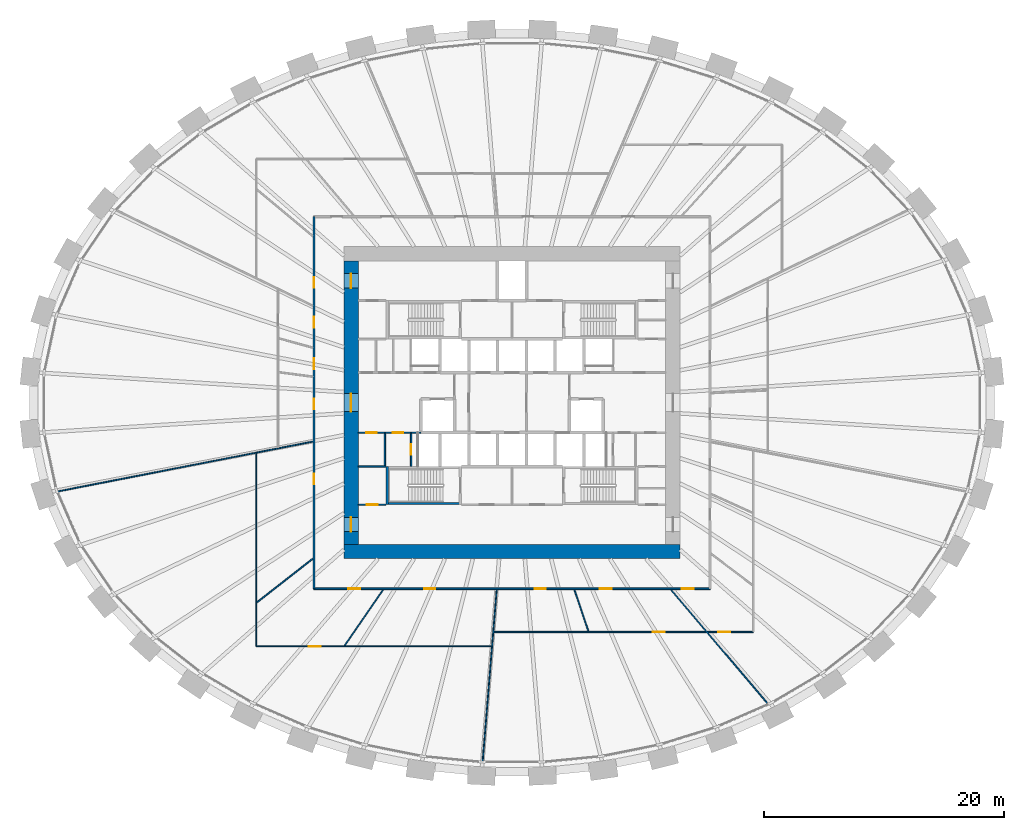
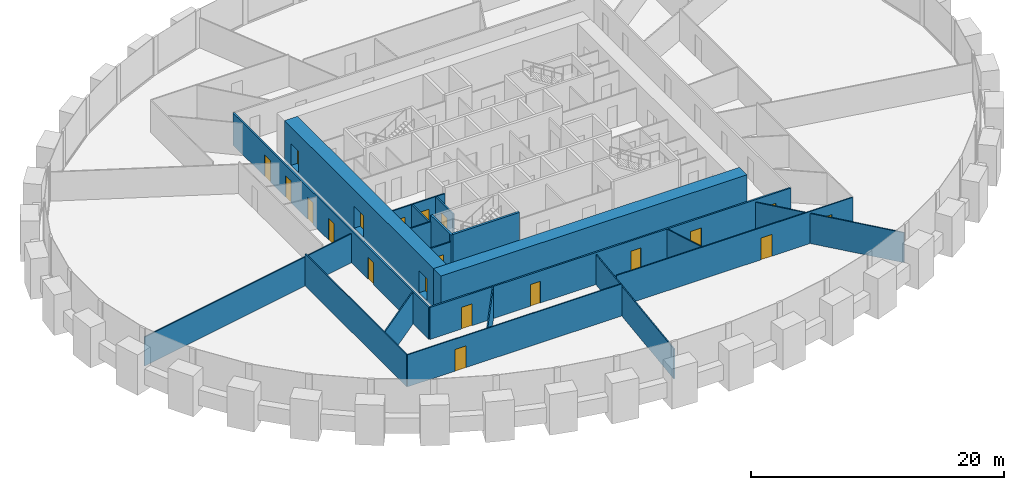
# One storey, part 6 of 11: 20 doors, 20 walls, 20 openings.
"""IFC4 building model written with IfcOpenShell, lengths in metres."""

from ifc_helpers import new_model, si_unit, direction, frame, frame_2d, origin, place, context, subcontext, project, spatial, rectangle, extrude, source, transform, mapped, material, layer, layer_set, type_object, element, fill, save


model = new_model("IFC4")

# Units and contexts
model_context = context("Model", 3, precision=1e-05, world=origin(), true_north=direction((0.0, 1.0)))
body_context = subcontext(model_context, "Body", "Model", "MODEL_VIEW")
ifc_project = project(units=[si_unit("LENGTHUNIT", "METRE"), si_unit("AREAUNIT", "SQUARE_METRE"), si_unit("VOLUMEUNIT", "CUBIC_METRE"), si_unit("PLANEANGLEUNIT", "RADIAN"), si_unit("MASSUNIT", "GRAM", prefix="KILO")], contexts=[model_context])

# Site, building, storey
site_placement = place(None, origin())
site = spatial("IfcSite", under=ifc_project, at=site_placement, CompositionType="ELEMENT")
building_placement = place(site_placement, origin())
building = spatial("IfcBuilding", under=site, at=building_placement, Name="Embergate Tower", CompositionType="ELEMENT")
storey_placement = place(building_placement, frame((0.0, 0.0, 109.39990234375)))
storey = spatial("IfcBuildingStorey", under=building, at=storey_placement, Name="L23", CompositionType="ELEMENT", Elevation=109.39990234375)

# Wall
ifc_material_1 = material(Name="Concrete C80", Category="concrete")
ifc_layer_1 = layer(ifc_material_1, 1.199951171875)
ifc_layer_set_1 = layer_set([ifc_layer_1], Name="Concrete C80")
wall_type_1 = type_object("IfcWallType", Name="Core outer wall C80 1200", PredefinedType="SHEAR", material=ifc_layer_set_1)
shared_shape_1 = source(origin(), body_context, "Body", "SweptSolid", [
    extrude(rectangle(XDim=28.0, YDim=1.199951171875, at=frame_2d((14.0, 0.0))), origin(), (0.0, 0.0, 1.0), 3.900146484375),
])
wall_1_placement = place(storey_placement, frame((-14.0, -12.39990234375, -0.199951171875), z_axis=(0.0, 0.0, 1.0), x_axis=(1.0, 0.0, 0.0)))
element("IfcWall", 1, at=wall_1_placement, inside=storey, type_object=wall_type_1, Name="CW-L23-S", PredefinedType="SHEAR", context=body_context, shape_type="MappedRepresentation", body=[
    mapped(shared_shape_1, transform((0.0, 0.0, 0.0))),
])

# Wall, openings, doors
shared_shape_2 = source(origin(), body_context, "Body", "SweptSolid", [
    extrude(rectangle(XDim=23.60009765625, YDim=1.199951171875, at=frame_2d((11.800048828125, 0.0))), origin(), (0.0, 0.0, 1.0), 3.900146484375),
])
wall_2_placement = place(storey_placement, frame((-13.39990234375, -11.800048828125, -0.199951171875), z_axis=(0.0, 0.0, 1.0), x_axis=(0.0, 1.0, 0.0)))
wall_2 = element("IfcWall", 2, at=wall_2_placement, inside=storey, type_object=wall_type_1, Name="CW-L23-W", PredefinedType="SHEAR", context=body_context, shape_type="MappedRepresentation", body=[
    mapped(shared_shape_2, transform((0.0, 0.0, 0.0))),
])
shared_shape_3 = source(origin(), body_context, "Body", "SweptSolid", [
    extrude(rectangle(XDim=1.199951171875, YDim=2.10009765625, at=frame_2d((0.60009765625, 1.050048828125))), frame((0.0, 0.60986328125, 0.0), z_axis=(0.0, -1.0, 0.0), x_axis=(1.0, 0.0, 0.0)), (0.0, 0.0, 1.0), 1.219970703125),
])
opening_1_placement = place(wall_2_placement, frame((21.35009765625, 0.0, 0.199951171875)))
opening_1 = element("IfcOpeningElement", 3, at=opening_1_placement, cuts=wall_2, Name="Opening IF-1", PredefinedType="OPENING", context=body_context, shape_type="MappedRepresentation", body=[
    mapped(shared_shape_3, transform((0.0, 0.0, 0.0))),
])
opening_2_placement = place(wall_2_placement, frame((1.050048828125, 0.0, 0.199951171875)))
opening_2 = element("IfcOpeningElement", 4, at=opening_2_placement, cuts=wall_2, Name="Opening IF-1", PredefinedType="OPENING", context=body_context, shape_type="MappedRepresentation", body=[
    mapped(shared_shape_3, transform((0.0, 0.0, 0.0))),
])
shared_shape_4 = source(origin(), body_context, "Body", "SweptSolid", [
    extrude(rectangle(XDim=1.5, YDim=2.10009765625, at=frame_2d((0.75, 1.050048828125))), frame((0.0, 0.60986328125, 0.0), z_axis=(0.0, -1.0, 0.0), x_axis=(1.0, 0.0, 0.0)), (0.0, 0.0, 1.0), 1.219970703125),
])
opening_3_placement = place(wall_2_placement, frame((11.050048828125, 0.0, 0.199951171875)))
opening_3 = element("IfcOpeningElement", 5, at=opening_3_placement, cuts=wall_2, Name="Opening IF-3", PredefinedType="OPENING", context=body_context, shape_type="MappedRepresentation", body=[
    mapped(shared_shape_4, transform((0.0, 0.0, 0.0))),
])
ifc_material_2 = material(Name="Escape fire door 1200")
door_type_1 = type_object("IfcDoorType", Name="Escape fire door 1200", OperationType="SINGLE_SWING_LEFT", PredefinedType="DOOR", material=ifc_material_2)
shared_shape_5 = source(origin(), body_context, "Body", "SweptSolid", [
    extrude(rectangle(XDim=1.199951171875, YDim=2.10009765625, at=frame_2d((0.60009765625, 1.050048828125))), frame((0.0, 0.02490234375, 0.0), z_axis=(0.0, -1.0, 0.0), x_axis=(1.0, 0.0, 0.0)), (0.0, 0.0, 1.0), 0.050048828125),
])
door_1_placement = place(opening_1_placement, origin())
door_1 = element("IfcDoor", 6, at=door_1_placement, inside=storey, type_object=door_type_1, Name="IF-1 door", OperationType="SINGLE_SWING_LEFT", OverallHeight=2.10009765625, OverallWidth=1.199951171875, PredefinedType="DOOR", context=body_context, shape_type="MappedRepresentation", body=[
    mapped(shared_shape_5, transform((0.0, 0.0, 0.0))),
])
fill(opening_1, door_1)
door_2_placement = place(opening_2_placement, origin())
door_2 = element("IfcDoor", 7, at=door_2_placement, inside=storey, type_object=door_type_1, Name="IF-1 door", OperationType="SINGLE_SWING_RIGHT", OverallHeight=2.10009765625, OverallWidth=1.199951171875, PredefinedType="DOOR", context=body_context, shape_type="MappedRepresentation", body=[
    mapped(shared_shape_5, transform((0.0, 0.0, 0.0))),
])
fill(opening_2, door_2)
ifc_material_3 = material(Name="Lobby fire door pair 1500")
door_type_2 = type_object("IfcDoorType", Name="Lobby fire door pair 1500", OperationType="DOUBLE_DOOR_SINGLE_SWING", PredefinedType="DOOR", material=ifc_material_3)
shared_shape_6 = source(origin(), body_context, "Body", "SweptSolid", [
    extrude(rectangle(XDim=1.5, YDim=2.10009765625, at=frame_2d((0.75, 1.050048828125))), frame((0.0, 0.02490234375, 0.0), z_axis=(0.0, -1.0, 0.0), x_axis=(1.0, 0.0, 0.0)), (0.0, 0.0, 1.0), 0.050048828125),
])
door_3_placement = place(opening_3_placement, origin())
door_3 = element("IfcDoor", 8, at=door_3_placement, inside=storey, type_object=door_type_2, Name="IF-3 door", OperationType="DOUBLE_DOOR_SINGLE_SWING", OverallHeight=2.10009765625, OverallWidth=1.5, PredefinedType="DOOR", context=body_context, shape_type="MappedRepresentation", body=[
    mapped(shared_shape_6, transform((0.0, 0.0, 0.0))),
])
fill(opening_3, door_3)

# Wall, opening, door
ifc_material_4 = material(Name="Core partition blockwork 120")
ifc_layer_2 = layer(ifc_material_4, 0.1201171875)
ifc_layer_set_2 = layer_set([ifc_layer_2], Name="Core partition blockwork 120")
wall_type_2 = type_object("IfcWallType", Name="Core partition blockwork 120", PredefinedType="PARTITIONING", material=ifc_layer_set_2)
shared_shape_7 = source(origin(), body_context, "Body", "SweptSolid", [
    extrude(rectangle(XDim=2.739990234375, YDim=0.1201171875, at=frame_2d((1.3701171875, 0.0))), origin(), (0.0, 0.0, 1.0), 3.10009765625),
])
wall_3_placement = place(storey_placement, frame((-8.39990234375, -2.56005859375, 0.0), z_axis=(0.0, 0.0, 1.0), x_axis=(0.0, -1.0, 0.0)))
wall_3 = element("IfcWall", 9, at=wall_3_placement, inside=storey, type_object=wall_type_2, Name="IP-3 wall", PredefinedType="PARTITIONING", context=body_context, shape_type="MappedRepresentation", body=[
    mapped(shared_shape_7, transform((0.0, 0.0, 0.0))),
])
shared_shape_8 = source(origin(), body_context, "Body", "SweptSolid", [
    extrude(rectangle(XDim=0.89990234375, YDim=2.10009765625, at=frame_2d((0.449951171875, 1.050048828125))), frame((0.0, 0.070068359375, 0.0), z_axis=(0.0, -1.0, 0.0), x_axis=(1.0, 0.0, 0.0)), (0.0, 0.0, 1.0), 0.14013671875),
])
opening_4_placement = place(wall_3_placement, frame((0.889892578125, 0.0, 0.0)))
opening_4 = element("IfcOpeningElement", 10, at=opening_4_placement, cuts=wall_3, Name="Opening ID-1", PredefinedType="OPENING", context=body_context, shape_type="MappedRepresentation", body=[
    mapped(shared_shape_8, transform((0.0, 0.0, 0.0))),
])
ifc_material_5 = material(Name="Interior door 900")
door_type_3 = type_object("IfcDoorType", Name="Interior door 900", OperationType="SINGLE_SWING_LEFT", PredefinedType="DOOR", material=ifc_material_5)
shared_shape_9 = source(origin(), body_context, "Body", "SweptSolid", [
    extrude(rectangle(XDim=0.89990234375, YDim=2.10009765625, at=frame_2d((0.449951171875, 1.050048828125))), frame((0.0, 0.02490234375, 0.0), z_axis=(0.0, -1.0, 0.0), x_axis=(1.0, 0.0, 0.0)), (0.0, 0.0, 1.0), 0.050048828125),
])
door_4_placement = place(opening_4_placement, origin())
door_4 = element("IfcDoor", 11, at=door_4_placement, inside=storey, type_object=door_type_3, Name="ID-1 door", OperationType="SINGLE_SWING_RIGHT", OverallHeight=2.10009765625, OverallWidth=0.89990234375, PredefinedType="DOOR", context=body_context, shape_type="MappedRepresentation", body=[
    mapped(shared_shape_9, transform((0.0, 0.0, 0.0))),
])
fill(opening_4, door_4)

# Wall, openings, doors
shared_shape_10 = source(origin(), body_context, "Body", "SweptSolid", [
    extrude(rectangle(XDim=5.199951171875, YDim=0.1201171875, at=frame_2d((2.60009765625, 0.0))), origin(), (0.0, 0.0, 1.0), 3.10009765625),
])
wall_4_placement = place(storey_placement, frame((-7.60009765625, -2.5, 0.0), z_axis=(0.0, 0.0, 1.0), x_axis=(-1.0, 0.0, 0.0)))
wall_4 = element("IfcWall", 12, at=wall_4_placement, inside=storey, type_object=wall_type_2, Name="IP-3 wall", PredefinedType="PARTITIONING", context=body_context, shape_type="MappedRepresentation", body=[
    mapped(shared_shape_10, transform((0.0, 0.0, 0.0))),
])
opening_5_placement = place(wall_4_placement, frame((3.64990234375, 0.0, 0.0)))
opening_5 = element("IfcOpeningElement", 13, at=opening_5_placement, cuts=wall_4, Name="Opening ID-1", PredefinedType="OPENING", context=body_context, shape_type="MappedRepresentation", body=[
    mapped(shared_shape_8, transform((0.0, 0.0, 0.0))),
])
opening_6_placement = place(wall_4_placement, frame((1.449951171875, 0.0, 0.0)))
opening_6 = element("IfcOpeningElement", 14, at=opening_6_placement, cuts=wall_4, Name="Opening ID-1", PredefinedType="OPENING", context=body_context, shape_type="MappedRepresentation", body=[
    mapped(shared_shape_8, transform((0.0, 0.0, 0.0))),
])
door_5_placement = place(opening_5_placement, origin())
door_5 = element("IfcDoor", 15, at=door_5_placement, inside=storey, type_object=door_type_3, Name="ID-1 door", OperationType="SINGLE_SWING_RIGHT", OverallHeight=2.10009765625, OverallWidth=0.89990234375, PredefinedType="DOOR", context=body_context, shape_type="MappedRepresentation", body=[
    mapped(shared_shape_9, transform((0.0, 0.0, 0.0))),
])
fill(opening_5, door_5)
door_6_placement = place(opening_6_placement, origin())
door_6 = element("IfcDoor", 16, at=door_6_placement, inside=storey, type_object=door_type_3, Name="ID-1 door", OperationType="SINGLE_SWING_RIGHT", OverallHeight=2.10009765625, OverallWidth=0.89990234375, PredefinedType="DOOR", context=body_context, shape_type="MappedRepresentation", body=[
    mapped(shared_shape_9, transform((0.0, 0.0, 0.0))),
])
fill(opening_6, door_6)

# Wall, opening, door
shared_shape_11 = source(origin(), body_context, "Body", "SweptSolid", [
    extrude(rectangle(XDim=2.300048828125, YDim=0.1201171875, at=frame_2d((1.14990234375, 0.0))), origin(), (0.0, 0.0, 1.0), 3.10009765625),
])
wall_5_placement = place(storey_placement, frame((-10.5, -8.5, 0.0), z_axis=(0.0, 0.0, 1.0), x_axis=(-1.0, 0.0, 0.0)))
wall_5 = element("IfcWall", 17, at=wall_5_placement, inside=storey, type_object=wall_type_2, Name="IP-3 wall", PredefinedType="PARTITIONING", context=body_context, shape_type="MappedRepresentation", body=[
    mapped(shared_shape_11, transform((0.0, 0.0, 0.0))),
])
opening_7_placement = place(wall_5_placement, frame((0.699951171875, 0.0, 0.0)))
opening_7 = element("IfcOpeningElement", 18, at=opening_7_placement, cuts=wall_5, Name="Opening ID-1", PredefinedType="OPENING", context=body_context, shape_type="MappedRepresentation", body=[
    mapped(shared_shape_8, transform((0.0, 0.0, 0.0))),
])
door_7_placement = place(opening_7_placement, origin())
door_7 = element("IfcDoor", 19, at=door_7_placement, inside=storey, type_object=door_type_3, Name="ID-1 door", OperationType="SINGLE_SWING_LEFT", OverallHeight=2.10009765625, OverallWidth=0.89990234375, PredefinedType="DOOR", context=body_context, shape_type="MappedRepresentation", body=[
    mapped(shared_shape_9, transform((0.0, 0.0, 0.0))),
])
fill(opening_7, door_7)

# Walls
wall_6_placement = place(storey_placement, frame((-12.800048828125, -5.300048828125, 0.0), z_axis=(0.0, 0.0, 1.0), x_axis=(1.0, 0.0, 0.0)))
element("IfcWall", 20, at=wall_6_placement, inside=storey, type_object=wall_type_2, Name="IP-3 wall", PredefinedType="PARTITIONING", context=body_context, shape_type="MappedRepresentation", body=[
    mapped(shared_shape_11, transform((0.0, 0.0, 0.0))),
])
shared_shape_12 = source(origin(), body_context, "Body", "SweptSolid", [
    extrude(rectangle(XDim=2.679931640625, YDim=0.1201171875, at=frame_2d((1.33984375, 0.0))), origin(), (0.0, 0.0, 1.0), 3.10009765625),
])
wall_7_placement = place(storey_placement, frame((-10.60009765625, -5.239990234375, 0.0), z_axis=(0.0, 0.0, 1.0), x_axis=(0.0, 1.0, 0.0)))
element("IfcWall", 21, at=wall_7_placement, inside=storey, type_object=wall_type_2, Name="IP-3 wall", PredefinedType="PARTITIONING", context=body_context, shape_type="MappedRepresentation", body=[
    mapped(shared_shape_12, transform((0.0, 0.0, 0.0))),
])
ifc_material_6 = material(Name="Concrete C50", Category="concrete")
ifc_layer_3 = layer(ifc_material_6, 0.199951171875)
ifc_layer_set_3 = layer_set([ifc_layer_3], Name="Concrete C50")
wall_type_3 = type_object("IfcWallType", Name="Stair enclosure wall reinforced concrete 250", PredefinedType="SHEAR", material=ifc_layer_set_3)
shared_shape_13 = source(origin(), body_context, "Body", "SweptSolid", [
    extrude(rectangle(XDim=6.300048828125, YDim=0.199951171875, at=frame_2d((3.14990234375, 0.0))), origin(), (0.0, 0.0, 1.0), 3.7001953125),
])
wall_8_placement = place(storey_placement, frame((-10.5, -8.39990234375, 0.0), z_axis=(0.0, 0.0, 1.0), x_axis=(1.0, 0.0, 0.0)))
element("IfcWall", 22, at=wall_8_placement, inside=storey, type_object=wall_type_3, Name="SE-1 wall", PredefinedType="SHEAR", context=body_context, shape_type="MappedRepresentation", body=[
    mapped(shared_shape_13, transform((0.0, 0.0, 0.0))),
])
shared_shape_14 = source(origin(), body_context, "Body", "SweptSolid", [
    extrude(rectangle(XDim=3.199951171875, YDim=0.199951171875, at=frame_2d((1.60009765625, 0.0))), origin(), (0.0, 0.0, 1.0), 3.7001953125),
])
wall_9_placement = place(storey_placement, frame((-10.39990234375, -5.300048828125, 0.0), z_axis=(0.0, 0.0, 1.0), x_axis=(0.0, -1.0, 0.0)))
element("IfcWall", 23, at=wall_9_placement, inside=storey, type_object=wall_type_3, Name="SE-1 wall", PredefinedType="SHEAR", context=body_context, shape_type="MappedRepresentation", body=[
    mapped(shared_shape_14, transform((0.0, 0.0, 0.0))),
])

# Wall, openings, doors
ifc_material_7 = material(Name="Corridor wall dry-lined 150")
ifc_layer_4 = layer(ifc_material_7, 0.14990234375)
ifc_layer_set_4 = layer_set([ifc_layer_4], Name="Corridor wall dry-lined 150")
wall_type_4 = type_object("IfcWallType", Name="Corridor wall dry-lined 150", PredefinedType="PARTITIONING", material=ifc_layer_set_4)
shared_shape_15 = source(origin(), body_context, "Body", "SweptSolid", [
    extrude(rectangle(XDim=31.0, YDim=0.14990234375, at=frame_2d((15.5, 0.0))), origin(), (0.0, 0.0, 1.0), 3.10009765625),
])
wall_10_placement = place(storey_placement, frame((-16.5, -15.5, 0.0), z_axis=(0.0, 0.0, 1.0), x_axis=(0.0, 1.0, 0.0)))
wall_10 = element("IfcWall", 24, at=wall_10_placement, inside=storey, type_object=wall_type_4, Name="IP-2 wall", PredefinedType="PARTITIONING", context=body_context, shape_type="MappedRepresentation", body=[
    mapped(shared_shape_15, transform((0.0, 0.0, 0.0))),
])
shared_shape_16 = source(origin(), body_context, "Body", "SweptSolid", [
    extrude(rectangle(XDim=0.89990234375, YDim=2.10009765625, at=frame_2d((0.449951171875, 1.050048828125))), frame((0.0, 0.0849609375, 0.0), z_axis=(0.0, -1.0, 0.0), x_axis=(1.0, 0.0, 0.0)), (0.0, 0.0, 1.0), 0.169921875),
])
opening_8_placement = place(wall_10_placement, frame((8.699951171875, 0.0, 0.0)))
opening_8 = element("IfcOpeningElement", 25, at=opening_8_placement, cuts=wall_10, Name="Opening IF-1c", PredefinedType="OPENING", context=body_context, shape_type="MappedRepresentation", body=[
    mapped(shared_shape_16, transform((0.0, 0.0, 0.0))),
])
opening_9_placement = place(wall_10_placement, frame((25.068115234375, 0.0, 0.0)))
opening_9 = element("IfcOpeningElement", 26, at=opening_9_placement, cuts=wall_10, Name="Opening IF-1c", PredefinedType="OPENING", context=body_context, shape_type="MappedRepresentation", body=[
    mapped(shared_shape_16, transform((0.0, 0.0, 0.0))),
])
opening_10_placement = place(wall_10_placement, frame((21.759033203125, 0.0, 0.0)))
opening_10 = element("IfcOpeningElement", 27, at=opening_10_placement, cuts=wall_10, Name="Opening IF-1c", PredefinedType="OPENING", context=body_context, shape_type="MappedRepresentation", body=[
    mapped(shared_shape_16, transform((0.0, 0.0, 0.0))),
])
opening_11_placement = place(wall_10_placement, frame((18.30908203125, 0.0, 0.0)))
opening_11 = element("IfcOpeningElement", 28, at=opening_11_placement, cuts=wall_10, Name="Opening IF-1c", PredefinedType="OPENING", context=body_context, shape_type="MappedRepresentation", body=[
    mapped(shared_shape_16, transform((0.0, 0.0, 0.0))),
])
opening_12_placement = place(wall_10_placement, frame((14.944091796875, 0.0, 0.0)))
opening_12 = element("IfcOpeningElement", 29, at=opening_12_placement, cuts=wall_10, Name="Opening IF-1c", PredefinedType="OPENING", context=body_context, shape_type="MappedRepresentation", body=[
    mapped(shared_shape_16, transform((0.0, 0.0, 0.0))),
])
ifc_material_8 = material(Name="Escape fire door 900")
door_type_4 = type_object("IfcDoorType", Name="Escape fire door 900", OperationType="SINGLE_SWING_LEFT", PredefinedType="DOOR", material=ifc_material_8)
door_8_placement = place(opening_8_placement, origin())
door_8 = element("IfcDoor", 30, at=door_8_placement, inside=storey, type_object=door_type_4, Name="IF-1 door", OperationType="SINGLE_SWING_LEFT", OverallHeight=2.10009765625, OverallWidth=0.89990234375, PredefinedType="DOOR", context=body_context, shape_type="MappedRepresentation", body=[
    mapped(shared_shape_9, transform((0.0, 0.0, 0.0))),
])
fill(opening_8, door_8)
door_9_placement = place(opening_9_placement, origin())
door_9 = element("IfcDoor", 31, at=door_9_placement, inside=storey, type_object=door_type_4, Name="IF-1 door", OperationType="SINGLE_SWING_RIGHT", OverallHeight=2.10009765625, OverallWidth=0.89990234375, PredefinedType="DOOR", context=body_context, shape_type="MappedRepresentation", body=[
    mapped(shared_shape_9, transform((0.0, 0.0, 0.0))),
])
fill(opening_9, door_9)
door_10_placement = place(opening_10_placement, origin())
door_10 = element("IfcDoor", 32, at=door_10_placement, inside=storey, type_object=door_type_4, Name="IF-1 door", OperationType="SINGLE_SWING_LEFT", OverallHeight=2.10009765625, OverallWidth=0.89990234375, PredefinedType="DOOR", context=body_context, shape_type="MappedRepresentation", body=[
    mapped(shared_shape_9, transform((0.0, 0.0, 0.0))),
])
fill(opening_10, door_10)
door_11_placement = place(opening_11_placement, origin())
door_11 = element("IfcDoor", 33, at=door_11_placement, inside=storey, type_object=door_type_4, Name="IF-1 door", OperationType="SINGLE_SWING_LEFT", OverallHeight=2.10009765625, OverallWidth=0.89990234375, PredefinedType="DOOR", context=body_context, shape_type="MappedRepresentation", body=[
    mapped(shared_shape_9, transform((0.0, 0.0, 0.0))),
])
fill(opening_11, door_11)
door_12_placement = place(opening_12_placement, origin())
door_12 = element("IfcDoor", 34, at=door_12_placement, inside=storey, type_object=door_type_4, Name="IF-1 door", OperationType="SINGLE_SWING_RIGHT", OverallHeight=2.10009765625, OverallWidth=0.89990234375, PredefinedType="DOOR", context=body_context, shape_type="MappedRepresentation", body=[
    mapped(shared_shape_9, transform((0.0, 0.0, 0.0))),
])
fill(opening_12, door_12)

shared_shape_17 = source(origin(), body_context, "Body", "SweptSolid", [
    extrude(rectangle(XDim=33.0, YDim=0.14990234375, at=frame_2d((16.5, 0.0))), origin(), (0.0, 0.0, 1.0), 3.10009765625),
])
wall_11_placement = place(storey_placement, frame((16.5, -15.5, 0.0), z_axis=(0.0, 0.0, 1.0), x_axis=(-1.0, 0.0, 0.0)))
wall_11 = element("IfcWall", 35, at=wall_11_placement, inside=storey, type_object=wall_type_4, Name="IP-2 wall", PredefinedType="PARTITIONING", context=body_context, shape_type="MappedRepresentation", body=[
    mapped(shared_shape_17, transform((0.0, 0.0, 0.0))),
])
shared_shape_18 = source(origin(), body_context, "Body", "SweptSolid", [
    extrude(rectangle(XDim=1.0, YDim=2.10009765625, at=frame_2d((0.5, 1.050048828125))), frame((0.0, 0.0849609375, 0.0), z_axis=(0.0, -1.0, 0.0), x_axis=(1.0, 0.0, 0.0)), (0.0, 0.0, 1.0), 0.169921875),
])
opening_13_placement = place(wall_11_placement, frame((29.1279296875, 0.0, 0.0)))
opening_13 = element("IfcOpeningElement", 36, at=opening_13_placement, cuts=wall_11, Name="Opening ID-2", PredefinedType="OPENING", context=body_context, shape_type="MappedRepresentation", body=[
    mapped(shared_shape_18, transform((0.0, 0.0, 0.0))),
])
opening_14_placement = place(wall_11_placement, frame((22.89599609375, 0.0, 0.0)))
opening_14 = element("IfcOpeningElement", 37, at=opening_14_placement, cuts=wall_11, Name="Opening IF-1c", PredefinedType="OPENING", context=body_context, shape_type="MappedRepresentation", body=[
    mapped(shared_shape_16, transform((0.0, 0.0, 0.0))),
])
opening_15_placement = place(wall_11_placement, frame((13.698974609375, 0.0, 0.0)))
opening_15 = element("IfcOpeningElement", 38, at=opening_15_placement, cuts=wall_11, Name="Opening IF-1c", PredefinedType="OPENING", context=body_context, shape_type="MappedRepresentation", body=[
    mapped(shared_shape_16, transform((0.0, 0.0, 0.0))),
])
opening_16_placement = place(wall_11_placement, frame((8.16796875, 0.0, 0.0)))
opening_16 = element("IfcOpeningElement", 39, at=opening_16_placement, cuts=wall_11, Name="Opening ID-2", PredefinedType="OPENING", context=body_context, shape_type="MappedRepresentation", body=[
    mapped(shared_shape_18, transform((0.0, 0.0, 0.0))),
])
opening_17_placement = place(wall_11_placement, frame((1.35498046875, 0.0, 0.0)))
opening_17 = element("IfcOpeningElement", 40, at=opening_17_placement, cuts=wall_11, Name="Opening ID-2", PredefinedType="OPENING", context=body_context, shape_type="MappedRepresentation", body=[
    mapped(shared_shape_18, transform((0.0, 0.0, 0.0))),
])
door_13_placement = place(opening_14_placement, origin())
door_13 = element("IfcDoor", 41, at=door_13_placement, inside=storey, type_object=door_type_4, Name="IF-1 door", OperationType="SINGLE_SWING_RIGHT", OverallHeight=2.10009765625, OverallWidth=0.89990234375, PredefinedType="DOOR", context=body_context, shape_type="MappedRepresentation", body=[
    mapped(shared_shape_9, transform((0.0, 0.0, 0.0))),
])
fill(opening_14, door_13)
door_14_placement = place(opening_15_placement, origin())
door_14 = element("IfcDoor", 42, at=door_14_placement, inside=storey, type_object=door_type_4, Name="IF-1 door", OperationType="SINGLE_SWING_RIGHT", OverallHeight=2.10009765625, OverallWidth=0.89990234375, PredefinedType="DOOR", context=body_context, shape_type="MappedRepresentation", body=[
    mapped(shared_shape_9, transform((0.0, 0.0, 0.0))),
])
fill(opening_15, door_14)
ifc_material_9 = material(Name="Interior door 1000")
door_type_5 = type_object("IfcDoorType", Name="Interior door 1000", OperationType="SINGLE_SWING_LEFT", PredefinedType="DOOR", material=ifc_material_9)
shared_shape_19 = source(origin(), body_context, "Body", "SweptSolid", [
    extrude(rectangle(XDim=1.0, YDim=2.10009765625, at=frame_2d((0.5, 1.050048828125))), frame((0.0, 0.02490234375, 0.0), z_axis=(0.0, -1.0, 0.0), x_axis=(1.0, 0.0, 0.0)), (0.0, 0.0, 1.0), 0.050048828125),
])
door_15_placement = place(opening_13_placement, origin())
door_15 = element("IfcDoor", 43, at=door_15_placement, inside=storey, type_object=door_type_5, Name="ID-2 door", OperationType="SINGLE_SWING_RIGHT", OverallHeight=2.10009765625, OverallWidth=1.0, PredefinedType="DOOR", context=body_context, shape_type="MappedRepresentation", body=[
    mapped(shared_shape_19, transform((0.0, 0.0, 0.0))),
])
fill(opening_13, door_15)
door_16_placement = place(opening_16_placement, origin())
door_16 = element("IfcDoor", 44, at=door_16_placement, inside=storey, type_object=door_type_5, Name="ID-2 door", OperationType="SINGLE_SWING_LEFT", OverallHeight=2.10009765625, OverallWidth=1.0, PredefinedType="DOOR", context=body_context, shape_type="MappedRepresentation", body=[
    mapped(shared_shape_19, transform((0.0, 0.0, 0.0))),
])
fill(opening_16, door_16)
door_17_placement = place(opening_17_placement, origin())
door_17 = element("IfcDoor", 45, at=door_17_placement, inside=storey, type_object=door_type_5, Name="ID-2 door", OperationType="SINGLE_SWING_RIGHT", OverallHeight=2.10009765625, OverallWidth=1.0, PredefinedType="DOOR", context=body_context, shape_type="MappedRepresentation", body=[
    mapped(shared_shape_19, transform((0.0, 0.0, 0.0))),
])
fill(opening_17, door_17)

# Walls
ifc_material_10 = material(Name="Partition dry-lined 100")
ifc_layer_5 = layer(ifc_material_10, 0.10009765625)
ifc_layer_set_5 = layer_set([ifc_layer_5], Name="Partition dry-lined 100")
wall_type_5 = type_object("IfcWallType", Name="Partition dry-lined 100", PredefinedType="PARTITIONING", material=ifc_layer_set_5)
shared_shape_20 = source(origin(), body_context, "Body", "SweptSolid", [
    extrude(rectangle(XDim=5.859619140625, YDim=0.10009765625, at=frame_2d((2.9296875, 0.0))), origin(), (0.0, 0.0, 1.0), 3.10009765625),
])
wall_12_placement = place(storey_placement, frame((-16.60595703125, -13.001953125, 0.0), z_axis=(0.0, 0.0, 1.0), x_axis=(-0.787270190611, -0.616608179458, 0.0)))
element("IfcWall", 46, at=wall_12_placement, inside=storey, type_object=wall_type_5, Name="IP-1 wall", PredefinedType="PARTITIONING", context=body_context, shape_type="MappedRepresentation", body=[
    mapped(shared_shape_20, transform((0.0, 0.0, 0.0))),
])
shared_shape_21 = source(origin(), body_context, "Body", "SweptSolid", [
    extrude(rectangle(XDim=21.7158203125, YDim=0.10009765625, at=frame_2d((10.85791015625, 0.0))), origin(), (0.0, 0.0, 1.0), 2.800048828125),
])
wall_13_placement = place(storey_placement, frame((-37.89794921875, -7.403076171875, 0.0), z_axis=(0.0, 0.0, 1.0), x_axis=(0.981452018893, 0.191707940917, 0.0)))
element("IfcWall", 47, at=wall_13_placement, inside=storey, type_object=wall_type_5, Name="IP-1 wall", PredefinedType="PARTITIONING", context=body_context, shape_type="MappedRepresentation", body=[
    mapped(shared_shape_21, transform((0.0, 0.0, 0.0))),
])
shared_shape_22 = source(origin(), body_context, "Body", "SweptSolid", [
    extrude(rectangle(XDim=16.0791015625, YDim=0.10009765625, at=frame_2d((8.03955078125, 0.0))), origin(), (0.0, 0.0, 1.0), 3.10009765625),
])
wall_14_placement = place(storey_placement, frame((-21.300048828125, -4.220947265625, 0.0), z_axis=(0.0, 0.0, 1.0), x_axis=(0.0, -1.0, 0.0)))
element("IfcWall", 48, at=wall_14_placement, inside=storey, type_object=wall_type_5, Name="IP-1 wall", PredefinedType="PARTITIONING", context=body_context, shape_type="MappedRepresentation", body=[
    mapped(shared_shape_22, transform((0.0, 0.0, 0.0))),
])
shared_shape_23 = source(origin(), body_context, "Body", "SweptSolid", [
    extrude(rectangle(XDim=5.609375, YDim=0.10009765625, at=frame_2d((2.8046875, 0.0))), origin(), (0.0, 0.0, 1.0), 3.10009765625),
])
wall_15_placement = place(storey_placement, frame((-10.7548828125, -15.60302734375, 0.0), z_axis=(0.0, 0.0, 1.0), x_axis=(-0.567450181978, -0.823407730698, 0.0)))
element("IfcWall", 49, at=wall_15_placement, inside=storey, type_object=wall_type_5, Name="IP-1 wall", PredefinedType="PARTITIONING", context=body_context, shape_type="MappedRepresentation", body=[
    mapped(shared_shape_23, transform((0.0, 0.0, 0.0))),
])

# Wall, opening, door
shared_shape_24 = source(origin(), body_context, "Body", "SweptSolid", [
    extrude(rectangle(XDim=19.590087890625, YDim=0.10009765625, at=frame_2d((9.794921875, 0.0))), origin(), (0.0, 0.0, 1.0), 3.10009765625),
])
wall_16_placement = place(storey_placement, frame((-1.7099609375, -20.300048828125, 0.0), z_axis=(0.0, 0.0, 1.0), x_axis=(-1.0, 0.0, 0.0)))
wall_16 = element("IfcWall", 50, at=wall_16_placement, inside=storey, type_object=wall_type_5, Name="IP-1 wall", PredefinedType="PARTITIONING", context=body_context, shape_type="MappedRepresentation", body=[
    mapped(shared_shape_24, transform((0.0, 0.0, 0.0))),
])
shared_shape_25 = source(origin(), body_context, "Body", "SweptSolid", [
    extrude(rectangle(XDim=1.0, YDim=2.10009765625, at=frame_2d((0.5, 1.050048828125))), frame((0.0, 0.06005859375, 0.0), z_axis=(0.0, -1.0, 0.0), x_axis=(1.0, 0.0, 0.0)), (0.0, 0.0, 1.0), 0.1201171875),
])
opening_18_placement = place(wall_16_placement, frame((14.23681640625, 0.0, 0.0)))
opening_18 = element("IfcOpeningElement", 51, at=opening_18_placement, cuts=wall_16, Name="Opening ID-2", PredefinedType="OPENING", context=body_context, shape_type="MappedRepresentation", body=[
    mapped(shared_shape_25, transform((0.0, 0.0, 0.0))),
])
door_18_placement = place(opening_18_placement, origin())
door_18 = element("IfcDoor", 52, at=door_18_placement, inside=storey, type_object=door_type_5, Name="ID-2 door", OperationType="SINGLE_SWING_RIGHT", OverallHeight=2.10009765625, OverallWidth=1.0, PredefinedType="DOOR", context=body_context, shape_type="MappedRepresentation", body=[
    mapped(shared_shape_19, transform((0.0, 0.0, 0.0))),
])
fill(opening_18, door_18)

# Wall
shared_shape_26 = source(origin(), body_context, "Body", "SweptSolid", [
    extrude(rectangle(XDim=3.6298828125, YDim=0.10009765625, at=frame_2d((1.81494140625, 0.0))), origin(), (0.0, 0.0, 1.0), 3.10009765625),
])
wall_17_placement = place(storey_placement, frame((5.2080078125, -15.591064453125, 0.0), z_axis=(0.0, 0.0, 1.0), x_axis=(0.316792690533, -0.948494802951, 0.0)))
element("IfcWall", 53, at=wall_17_placement, inside=storey, type_object=wall_type_5, Name="IP-1 wall", PredefinedType="PARTITIONING", context=body_context, shape_type="MappedRepresentation", body=[
    mapped(shared_shape_26, transform((0.0, 0.0, 0.0))),
])

# Wall, openings, doors
shared_shape_27 = source(origin(), body_context, "Body", "SweptSolid", [
    extrude(rectangle(XDim=21.612060546875, YDim=0.10009765625, at=frame_2d((10.80615234375, 0.0))), origin(), (0.0, 0.0, 1.0), 3.10009765625),
])
wall_18_placement = place(storey_placement, frame((20.10009765625, -19.10009765625, 0.0), z_axis=(0.0, 0.0, 1.0), x_axis=(-1.0, 0.0, 0.0)))
wall_18 = element("IfcWall", 54, at=wall_18_placement, inside=storey, type_object=wall_type_5, Name="IP-1 wall", PredefinedType="PARTITIONING", context=body_context, shape_type="MappedRepresentation", body=[
    mapped(shared_shape_27, transform((0.0, 0.0, 0.0))),
])
opening_19_placement = place(wall_18_placement, frame((7.387939453125, 0.0, 0.0)))
opening_19 = element("IfcOpeningElement", 55, at=opening_19_placement, cuts=wall_18, Name="Opening ID-2", PredefinedType="OPENING", context=body_context, shape_type="MappedRepresentation", body=[
    mapped(shared_shape_25, transform((0.0, 0.0, 0.0))),
])
opening_20_placement = place(wall_18_placement, frame((1.912109375, 0.0, 0.0)))
opening_20 = element("IfcOpeningElement", 56, at=opening_20_placement, cuts=wall_18, Name="Opening ID-2", PredefinedType="OPENING", context=body_context, shape_type="MappedRepresentation", body=[
    mapped(shared_shape_25, transform((0.0, 0.0, 0.0))),
])
door_19_placement = place(opening_19_placement, origin())
door_19 = element("IfcDoor", 57, at=door_19_placement, inside=storey, type_object=door_type_5, Name="ID-2 door", OperationType="SINGLE_SWING_LEFT", OverallHeight=2.10009765625, OverallWidth=1.0, PredefinedType="DOOR", context=body_context, shape_type="MappedRepresentation", body=[
    mapped(shared_shape_19, transform((0.0, 0.0, 0.0))),
])
fill(opening_19, door_19)
door_20_placement = place(opening_20_placement, origin())
door_20 = element("IfcDoor", 58, at=door_20_placement, inside=storey, type_object=door_type_5, Name="ID-2 door", OperationType="SINGLE_SWING_RIGHT", OverallHeight=2.10009765625, OverallWidth=1.0, PredefinedType="DOOR", context=body_context, shape_type="MappedRepresentation", body=[
    mapped(shared_shape_19, transform((0.0, 0.0, 0.0))),
])
fill(opening_20, door_20)

# Walls
shared_shape_28 = source(origin(), body_context, "Body", "SweptSolid", [
    extrude(rectangle(XDim=14.408935546875, YDim=0.10009765625, at=frame_2d((7.20458984375, 0.0))), origin(), (0.0, 0.0, 1.0), 2.900146484375),
])
wall_19_placement = place(storey_placement, frame((-2.447998046875, -29.93603515625, 0.0), z_axis=(0.0, 0.0, 1.0), x_axis=(0.081481890092, 0.99667482239, 0.0)))
element("IfcWall", 59, at=wall_19_placement, inside=storey, type_object=wall_type_5, Name="IP-1 wall", PredefinedType="PARTITIONING", context=body_context, shape_type="MappedRepresentation", body=[
    mapped(shared_shape_28, transform((0.0, 0.0, 0.0))),
])
shared_shape_29 = source(origin(), body_context, "Body", "SweptSolid", [
    extrude(rectangle(XDim=12.4912109375, YDim=0.10009765625, at=frame_2d((6.24560546875, 0.0))), origin(), (0.0, 0.0, 1.0), 2.900146484375),
])
wall_20_placement = place(storey_placement, frame((21.35009765625, -25.1259765625, 0.0), z_axis=(0.0, 0.0, 1.0), x_axis=(-0.647506572821, 0.762059865203, 0.0)))
element("IfcWall", 60, at=wall_20_placement, inside=storey, type_object=wall_type_5, Name="IP-1 wall", PredefinedType="PARTITIONING", context=body_context, shape_type="MappedRepresentation", body=[
    mapped(shared_shape_29, transform((0.0, 0.0, 0.0))),
])

save(model, "model.ifc")
